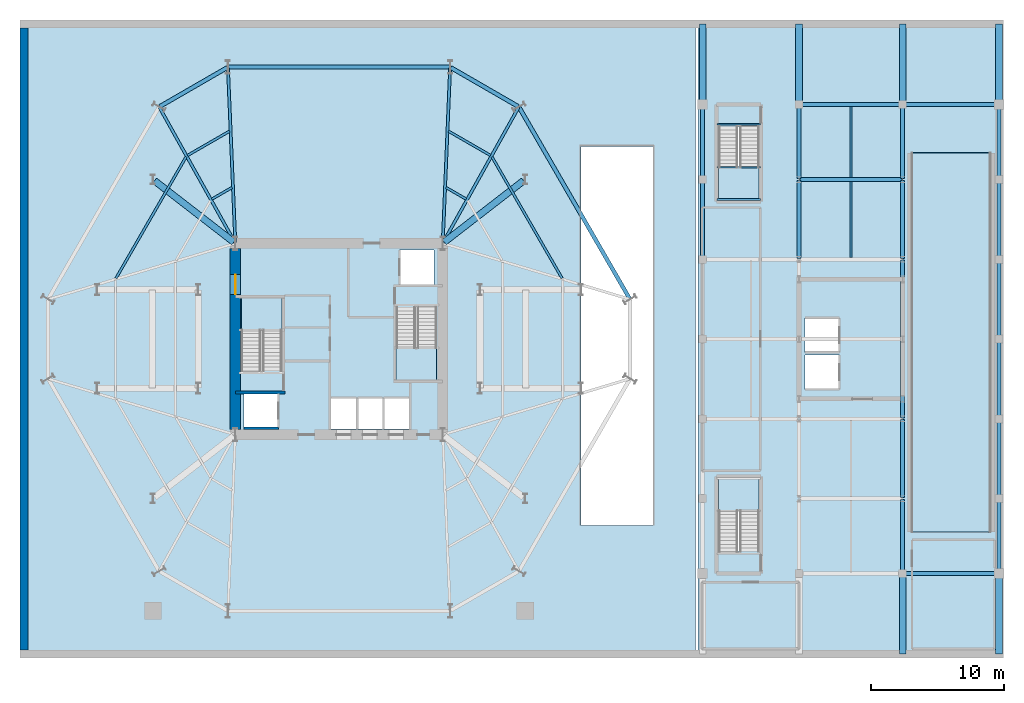
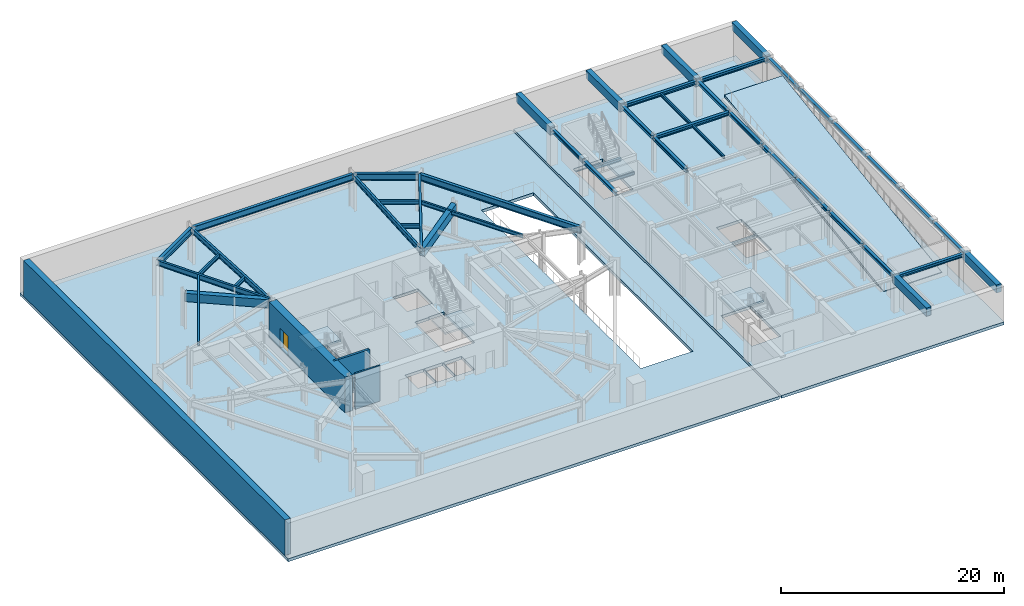
# One storey, part 6 of 12: 47 beams, 7 slabs, 4 walls, 1 door, 1 opening, 4 elements without a shape of their own.
"""IFC4 building model written with IfcOpenShell, lengths in metres."""

import ifcopenshell
import ifcopenshell.guid

model = None  # the IFC model being written
_history = None  # IfcOwnerHistory: only IFC2X3 demands one
_inside = {}  # id of a spatial element -> (the spatial element, [elements in it])
_under = {}  # id of a project, library or spatial element -> (it, [spatial elements below it])
_declared = {}  # id of a project -> (the project, [libraries it declares])
_typed = {}  # id of a type object -> (the type object, [elements of that type])
_made_of = {}  # id of a material, layer set ... -> (it, [elements and type objects made of it])


def new_model(schema):
    """Start an empty IFC model of exactly this schema.

    Asked for "IFC4X3", IfcOpenShell would pick the latest addendum, in which some entities
    have other attributes; the version numbers below select the first issue.
    IFC2X3 requires an IfcOwnerHistory on every rooted entity: one is made here for all.
    """
    global model, _history
    if schema == "IFC4X3":
        model = ifcopenshell.file(schema_version=(4, 3, 0, 0))
    else:
        model = ifcopenshell.file(schema=schema)
    _inside.clear()
    _under.clear()
    _declared.clear()
    _typed.clear()
    _made_of.clear()
    _history = None
    if model.schema == "IFC2X3":
        org = make("IfcOrganization", Name="unknown")
        user = make(
            "IfcPersonAndOrganization",
            ThePerson=make("IfcPerson", FamilyName="unknown"),
            TheOrganization=org,
        )
        app = make(
            "IfcApplication",
            ApplicationDeveloper=org,
            Version="unknown",
            ApplicationFullName="unknown",
            ApplicationIdentifier="unknown",
        )
        _history = make(
            "IfcOwnerHistory",
            OwningUser=user,
            OwningApplication=app,
            ChangeAction="ADDED",
            CreationDate=0,
        )
    return model


def make(cls, **values):
    """One entity of the class cls with the attributes given. An attribute that is None is left unset."""
    return model.create_entity(
        cls, **{name: value for name, value in values.items() if value is not None}
    )


def rooted(cls, **values):
    """An entity with a GlobalId (a new one), such as an element, a storey or a relation."""
    return make(cls, GlobalId=ifcopenshell.guid.new(), OwnerHistory=_history, **values)


def si_unit(unit_type, name, prefix=None):
    """IfcSIUnit, for example si_unit("LENGTHUNIT", "METRE", prefix="MILLI")."""
    return make("IfcSIUnit", UnitType=unit_type, Prefix=prefix, Name=name)


def assignment(units):
    """IfcUnitAssignment: the units of a project."""
    return None if units is None else make("IfcUnitAssignment", Units=units)


def point(xyz):
    """IfcCartesianPoint."""
    return None if xyz is None else make("IfcCartesianPoint", Coordinates=xyz)


def direction(xyz):
    """IfcDirection."""
    return None if xyz is None else make("IfcDirection", DirectionRatios=xyz)


def frame(location, z_axis=None, x_axis=None):
    """IfcAxis2Placement3D, a coordinate frame: its origin and axes. An axis left out is left unset."""
    return make(
        "IfcAxis2Placement3D",
        Location=point(location),
        Axis=direction(z_axis),
        RefDirection=direction(x_axis),
    )


def frame_2d(location, x_axis=None):
    """IfcAxis2Placement2D, a coordinate frame in the plane: its origin and x axis."""
    return make(
        "IfcAxis2Placement2D", Location=point(location), RefDirection=direction(x_axis)
    )


def origin():
    """The frame at (0, 0, 0) with its axes left unset."""
    return frame((0.0, 0.0, 0.0))


def origin_2d():
    """The frame at (0, 0) in the plane with its x axis left unset."""
    return frame_2d((0.0, 0.0))


def place(relative_to, where):
    """IfcLocalPlacement: puts the frame where relative to a parent placement (None: the world)."""
    return make(
        "IfcLocalPlacement", PlacementRelTo=relative_to, RelativePlacement=where
    )


def context(
    kind, dimensions, precision=None, world=None, true_north=None, identifier=None
):
    """IfcGeometricRepresentationContext, for example the 3D "Model" context."""
    return make(
        "IfcGeometricRepresentationContext",
        ContextIdentifier=identifier,
        ContextType=kind,
        CoordinateSpaceDimension=dimensions,
        Precision=precision,
        WorldCoordinateSystem=world,
        TrueNorth=true_north,
    )


def subcontext(parent, identifier, kind, view, scale=None):
    """IfcGeometricRepresentationSubContext, for example "Body" below "Model"."""
    return make(
        "IfcGeometricRepresentationSubContext",
        ContextIdentifier=identifier,
        ContextType=kind,
        ParentContext=parent,
        TargetScale=scale,
        TargetView=view,
    )


def project(units=None, contexts=None):
    """IfcProject with its units and contexts."""
    return rooted(
        "IfcProject",
        Name="project",
        RepresentationContexts=contexts,
        UnitsInContext=assignment(units),
    )


def spatial(cls, under=None, at=None, **own):
    """A site, building, storey or space (cls), placed at a placement, below another one or the project."""
    s = rooted(cls, ObjectPlacement=at, **own)
    if under is not None:
        _under.setdefault(under.id(), (under, []))[1].append(s)
    return s


def polyline(points):
    """IfcPolyline through the points."""
    return make("IfcPolyline", Points=[point(p) for p in points])


def profile(cls, at=None, kind="AREA", **sizes):
    """A parametric profile (cls). Its sizes go by their IFC names, for example OverallWidth=200.0."""
    return make(cls, ProfileType=kind, Position=at, **sizes)


def rectangle(**sizes):
    """IfcRectangleProfileDef."""
    return profile("IfcRectangleProfileDef", **sizes)


def i_section(**sizes):
    """IfcIShapeProfileDef."""
    return profile("IfcIShapeProfileDef", **sizes)


def outline(outer, holes=None, kind="AREA"):
    """IfcArbitraryClosedProfileDef: a profile drawn as a closed curve; with holes, ...WithVoids."""
    if holes is None:
        return make("IfcArbitraryClosedProfileDef", ProfileType=kind, OuterCurve=outer)
    return make(
        "IfcArbitraryProfileDefWithVoids",
        ProfileType=kind,
        OuterCurve=outer,
        InnerCurves=holes,
    )


def extrude(swept, where, along, depth):
    """IfcExtrudedAreaSolid: the profile swept, set in the frame where, extruded along a direction by depth."""
    return make(
        "IfcExtrudedAreaSolid",
        SweptArea=swept,
        Position=where,
        ExtrudedDirection=direction(along),
        Depth=depth,
    )


def shape(context_of_items, identifier, shape_type, items):
    """IfcShapeRepresentation: the items that make up one representation, for example the "Body"."""
    return make(
        "IfcShapeRepresentation",
        ContextOfItems=context_of_items,
        RepresentationIdentifier=identifier,
        RepresentationType=shape_type,
        Items=items,
    )


def material(Name=None, Category=None):
    """IfcMaterial."""
    return make("IfcMaterial", Name=Name, Category=Category)


def layer(
    of_material, thickness, ventilated=None, Name=None, Category=None, Priority=None
):
    """IfcMaterialLayer: one layer of a wall or slab, of a material (None: an air gap)."""
    return make(
        "IfcMaterialLayer",
        Material=of_material,
        LayerThickness=thickness,
        IsVentilated=ventilated,
        Name=Name,
        Category=Category,
        Priority=Priority,
    )


def layer_set(layers, Name=None):
    """IfcMaterialLayerSet."""
    return make("IfcMaterialLayerSet", MaterialLayers=layers, LayerSetName=Name)


def material_profile(
    of_material, cross_section, Name=None, Category=None, Priority=None
):
    """IfcMaterialProfile: a cross section and its material."""
    return make(
        "IfcMaterialProfile",
        Name=Name,
        Material=of_material,
        Profile=cross_section,
        Priority=Priority,
        Category=Category,
    )


def profile_set(profiles, Name=None, composite=None):
    """IfcMaterialProfileSet."""
    return make(
        "IfcMaterialProfileSet",
        Name=Name,
        MaterialProfiles=profiles,
        CompositeProfile=composite,
    )


def made_of(thing, what):
    """Note that an element or type object is made of a material, layer set ...; save() writes the relation."""
    if what is not None:
        _made_of.setdefault(what.id(), (what, []))[1].append(thing)
    return thing


def type_object(cls, material=None, **own):
    """A type object (cls), such as IfcWallType, which elements share."""
    return made_of(rooted(cls, **own), material)


def element(
    cls,
    number,
    at=None,
    inside=None,
    cuts=None,
    type_object=None,
    material=None,
    context=None,
    identifier="Body",
    shape_type=None,
    held_by="IfcProductDefinitionShape",
    body=None,
    shapes=None,
    **own,
):
    """One element of the class cls, such as IfcWall. Its Tag is "e" and its number.

    at: its placement. inside: the storey or other place that contains it. cuts: it is an
    opening in that element (IfcRelVoidsElement). A single representation is given by context,
    identifier, shape_type and body (its items); several are given by shapes. held_by: the class
    of the entity that holds the representations. save() writes the other relations.
    """
    e = rooted(cls, Tag="e%d" % number, ObjectPlacement=at, **own)
    if body is not None:
        shapes = [shape(context, identifier, shape_type, body)]
    if shapes is not None:
        e.Representation = make(held_by, Representations=shapes)
    if inside is not None:
        _inside.setdefault(inside.id(), (inside, []))[1].append(e)
    if cuts is not None:
        rooted(
            "IfcRelVoidsElement", RelatingBuildingElement=cuts, RelatedOpeningElement=e
        )
    if type_object is not None:
        _typed.setdefault(type_object.id(), (type_object, []))[1].append(e)
    return made_of(e, material)


def fill(opening, filler):
    """IfcRelFillsElement: the door or window that sits in an opening."""
    return rooted(
        "IfcRelFillsElement",
        RelatingOpeningElement=opening,
        RelatedBuildingElement=filler,
    )


def aggregate(whole, parts):
    """IfcRelAggregates: a whole, such as a stair, and the parts it consists of."""
    return rooted("IfcRelAggregates", RelatingObject=whole, RelatedObjects=parts)


def save(model, path):
    """Write the relations noted so far, then the file.

    IfcRelAggregates (storeys below a building ...), IfcRelContainedInSpatialStructure (elements
    in a storey), IfcRelDefinesByType, IfcRelAssociatesMaterial and IfcRelDeclares: one each for
    every whole, place, type object, material and project.
    """
    for whole, parts in _under.values():
        aggregate(whole, parts)
    for where, things in _inside.values():
        rooted(
            "IfcRelContainedInSpatialStructure",
            RelatedElements=things,
            RelatingStructure=where,
        )
    for kind, things in _typed.values():
        rooted("IfcRelDefinesByType", RelatedObjects=things, RelatingType=kind)
    for what, things in _made_of.values():
        rooted("IfcRelAssociatesMaterial", RelatedObjects=things, RelatingMaterial=what)
    for by, libraries in _declared.values():
        rooted("IfcRelDeclares", RelatingContext=by, RelatedDefinitions=libraries)
    model.write(path)


model = new_model("IFC4")

# Units and contexts
model_context = context("Model", 3, precision=1e-05, world=origin(), true_north=direction((0.0, 1.0)))
body_context = subcontext(model_context, "Body", "Model", "MODEL_VIEW")
ifc_project = project(units=[si_unit("LENGTHUNIT", "METRE"), si_unit("AREAUNIT", "SQUARE_METRE"), si_unit("VOLUMEUNIT", "CUBIC_METRE"), si_unit("PLANEANGLEUNIT", "RADIAN"), si_unit("MASSUNIT", "GRAM", prefix="KILO")], contexts=[model_context])

# Site, building, storey
site_placement = place(None, origin())
site = spatial("IfcSite", under=ifc_project, at=site_placement, CompositionType="ELEMENT")
building_placement = place(site_placement, origin())
building = spatial("IfcBuilding", under=site, at=building_placement, Name="Kranzbogen Civic Tower", CompositionType="ELEMENT")
storey_placement = place(building_placement, frame((0.0, 0.0, -4.199951171875)))
storey = spatial("IfcBuildingStorey", under=building, at=storey_placement, Name="B01", CompositionType="ELEMENT", Elevation=-4.199951171875)

# Beams
ifc_material_1 = material(Name="Concrete C40/50", Category="concrete")
ifc_material_profile_1 = material_profile(ifc_material_1, rectangle(XDim=0.5, YDim=0.89990234375, at=origin_2d()), Name="RC-BM 500x900")
ifc_profile_set_1 = profile_set([ifc_material_profile_1], Name="Concrete C40/50")
beam_type_1 = type_object("IfcBeamType", Name="Basement RC Frame Beam 500x900", PredefinedType="BEAM", material=ifc_profile_set_1)
for number, where, z_axis, x_axis, name in (
    (1, (52.35009765625, 42.64990234375, 3.599853515625), (0.0, 1.0, 0.0), (-1.0, 0.0, 0.0), "B01 North-East plaza support beam 52"),
    (2, (59.60009765625, 42.64990234375, 3.599853515625), (0.0, 1.0, 0.0), (-1.0, 0.0, 0.0), "B01 North-East plaza support beam 59"),
    (3, (67.39990234375, 1.300048828125, 3.599853515625), (0.0, 1.0, 0.0), (-1.0, 0.0, 0.0), "B01 South-East plaza support beam 67"),
    (4, (67.39990234375, 42.64990234375, 3.599853515625), (0.0, 1.0, 0.0), (-1.0, 0.0, 0.0), "B01 North-East plaza support beam 67"),
    (5, (74.64990234375, 1.300048828125, 3.599853515625), (0.0, 1.0, 0.0), (-1.0, 0.0, 0.0), "B01 South-East plaza support beam 74"),
    (6, (74.64990234375, 42.64990234375, 3.599853515625), (0.0, 1.0, 0.0), (-1.0, 0.0, 0.0), "B01 North-East plaza support beam 74"),
):
    element("IfcBeam", number, at=place(storey_placement, frame(where, z_axis=z_axis, x_axis=x_axis)), inside=storey, type_object=beam_type_1, Name=name, PredefinedType="BEAM", context=body_context, shape_type="SweptSolid", body=[
        extrude(rectangle(XDim=0.5, YDim=0.89990234375, at=origin_2d()), origin(), (0.0, 0.0, 1.0), 6.050048828125),
    ])
for number, where, z_axis, x_axis, name in (
    (7, (11.118896484375, 36.907958984375, 3.429931640625), (0.79071713495, -0.612181682589, 0.0), (0.612181682589, 0.79071713495, 0.0), "B01 basement RC frame girder 3"),
    (8, (38.881103515625, 36.907958984375, 3.429931640625), (-0.79071713495, -0.612181682589, 0.0), (0.612181682589, -0.79071713495, 0.0), "B01 basement RC frame girder 4"),
):
    element("IfcBeam", number, at=place(storey_placement, frame(where, z_axis=z_axis, x_axis=x_axis)), inside=storey, type_object=beam_type_1, Name=name, PredefinedType="BEAM", context=body_context, shape_type="SweptSolid", body=[
        extrude(rectangle(XDim=0.5, YDim=0.89990234375, at=origin_2d()), origin(), (0.0, 0.0, 1.0), 7.540283203125),
    ])
ifc_material_2 = material(Name="Steel S355", Category="steel")
ifc_material_profile_2 = material_profile(ifc_material_2, i_section(OverallWidth=0.300048828125, OverallDepth=0.360107421875, WebThickness=0.012451171875, FlangeThickness=0.0224609375, at=origin_2d()), Name="HEB 360")
ifc_profile_set_2 = profile_set([ifc_material_profile_2], Name="Steel S355")
beam_type_2 = type_object("IfcBeamType", Name="Health Centre Primary Floor Beam HEB 360", PredefinedType="BEAM", material=ifc_profile_set_2)
beam_1_placement = place(storey_placement, frame((67.4599609375, 7.35009765625, 3.699951171875), z_axis=(1.0, 0.0, 0.0), x_axis=(0.0, 1.0, 0.0)))
element("IfcBeam", 9, at=beam_1_placement, inside=storey, type_object=beam_type_2, Name="B01 Health Centre X girder 3-1", PredefinedType="BEAM", context=body_context, shape_type="SweptSolid", body=[
    extrude(i_section(OverallWidth=0.300048828125, OverallDepth=0.360107421875, WebThickness=0.012451171875, FlangeThickness=0.0224609375, at=origin_2d()), origin(), (0.0, 0.0, 1.0), 7.130126953125),
])
for number, where, z_axis, x_axis, name in (
    (10, (59.659912109375, 37.0, 3.699951171875), (1.0, 0.0, 0.0), (0.0, 1.0, 0.0), "B01 Health Centre X girder 2-6"),
    (11, (59.659912109375, 42.64990234375, 3.699951171875), (1.0, 0.0, 0.0), (0.0, 1.0, 0.0), "B01 Health Centre X girder 2-7"),
):
    element("IfcBeam", number, at=place(storey_placement, frame(where, z_axis=z_axis, x_axis=x_axis)), inside=storey, type_object=beam_type_2, Name=name, PredefinedType="BEAM", context=body_context, shape_type="SweptSolid", body=[
        extrude(i_section(OverallWidth=0.300048828125, OverallDepth=0.360107421875, WebThickness=0.012451171875, FlangeThickness=0.0224609375, at=origin_2d()), origin(), (0.0, 0.0, 1.0), 7.68017578125),
    ])
beam_2_placement = place(storey_placement, frame((67.4599609375, 42.64990234375, 3.699951171875), z_axis=(1.0, 0.0, 0.0), x_axis=(0.0, 1.0, 0.0)))
element("IfcBeam", 12, at=beam_2_placement, inside=storey, type_object=beam_type_2, Name="B01 Health Centre X girder 3-7", PredefinedType="BEAM", context=body_context, shape_type="SweptSolid", body=[
    extrude(i_section(OverallWidth=0.300048828125, OverallDepth=0.360107421875, WebThickness=0.012451171875, FlangeThickness=0.0224609375, at=origin_2d()), origin(), (0.0, 0.0, 1.0), 7.130126953125),
])
for number, where, z_axis, x_axis, name in (
    (13, (67.39990234375, 7.409912109375, 3.699951171875), (0.0, 1.0, 0.0), (-1.0, 0.0, 0.0), "B01 Health Centre Y girder 3-1"),
    (14, (74.64990234375, 7.409912109375, 3.699951171875), (0.0, 1.0, 0.0), (-1.0, 0.0, 0.0), "B01 Health Centre Y girder 4-1"),
):
    element("IfcBeam", number, at=place(storey_placement, frame(where, z_axis=z_axis, x_axis=x_axis)), inside=storey, type_object=beam_type_2, Name=name, PredefinedType="BEAM", context=body_context, shape_type="SweptSolid", body=[
        extrude(i_section(OverallWidth=0.300048828125, OverallDepth=0.360107421875, WebThickness=0.012451171875, FlangeThickness=0.0224609375, at=origin_2d()), origin(), (0.0, 0.0, 1.0), 5.530029296875),
    ])
for number, where, z_axis, x_axis, name in (
    (15, (67.39990234375, 13.06005859375, 3.699951171875), (0.0, 1.0, 0.0), (-1.0, 0.0, 0.0), "B01 Health Centre Y girder 3-2"),
    (16, (74.64990234375, 13.06005859375, 3.699951171875), (0.0, 1.0, 0.0), (-1.0, 0.0, 0.0), "B01 Health Centre Y girder 4-2"),
    (17, (67.39990234375, 19.06005859375, 3.699951171875), (0.0, 1.0, 0.0), (-1.0, 0.0, 0.0), "B01 Health Centre Y girder 3-3"),
    (18, (74.64990234375, 19.06005859375, 3.699951171875), (0.0, 1.0, 0.0), (-1.0, 0.0, 0.0), "B01 Health Centre Y girder 4-3"),
    (19, (67.39990234375, 25.06005859375, 3.699951171875), (0.0, 1.0, 0.0), (-1.0, 0.0, 0.0), "B01 Health Centre Y girder 3-4"),
    (20, (74.64990234375, 25.06005859375, 3.699951171875), (0.0, 1.0, 0.0), (-1.0, 0.0, 0.0), "B01 Health Centre Y girder 4-4"),
    (21, (52.35009765625, 31.06005859375, 3.699951171875), (0.0, 1.0, 0.0), (-1.0, 0.0, 0.0), "B01 Health Centre Y girder 1-5"),
    (22, (59.60009765625, 31.06005859375, 3.699951171875), (0.0, 1.0, 0.0), (-1.0, 0.0, 0.0), "B01 Health Centre Y girder 2-5"),
    (23, (67.39990234375, 31.06005859375, 3.699951171875), (0.0, 1.0, 0.0), (-1.0, 0.0, 0.0), "B01 Health Centre Y girder 3-5"),
    (24, (74.64990234375, 31.06005859375, 3.699951171875), (0.0, 1.0, 0.0), (-1.0, 0.0, 0.0), "B01 Health Centre Y girder 4-5"),
):
    element("IfcBeam", number, at=place(storey_placement, frame(where, z_axis=z_axis, x_axis=x_axis)), inside=storey, type_object=beam_type_2, Name=name, PredefinedType="BEAM", context=body_context, shape_type="SweptSolid", body=[
        extrude(i_section(OverallWidth=0.300048828125, OverallDepth=0.360107421875, WebThickness=0.012451171875, FlangeThickness=0.0224609375, at=origin_2d()), origin(), (0.0, 0.0, 1.0), 5.8798828125),
    ])
for number, where, z_axis, x_axis, name in (
    (25, (52.35009765625, 37.06005859375, 3.699951171875), (0.0, 1.0, 0.0), (-1.0, 0.0, 0.0), "B01 Health Centre Y girder 1-6"),
    (26, (59.60009765625, 37.06005859375, 3.699951171875), (0.0, 1.0, 0.0), (-1.0, 0.0, 0.0), "B01 Health Centre Y girder 2-6"),
    (27, (67.39990234375, 37.06005859375, 3.699951171875), (0.0, 1.0, 0.0), (-1.0, 0.0, 0.0), "B01 Health Centre Y girder 3-6"),
    (28, (74.64990234375, 37.06005859375, 3.699951171875), (0.0, 1.0, 0.0), (-1.0, 0.0, 0.0), "B01 Health Centre Y girder 4-6"),
):
    element("IfcBeam", number, at=place(storey_placement, frame(where, z_axis=z_axis, x_axis=x_axis)), inside=storey, type_object=beam_type_2, Name=name, PredefinedType="BEAM", context=body_context, shape_type="SweptSolid", body=[
        extrude(i_section(OverallWidth=0.300048828125, OverallDepth=0.360107421875, WebThickness=0.012451171875, FlangeThickness=0.0224609375, at=origin_2d()), origin(), (0.0, 0.0, 1.0), 5.530029296875),
    ])
ifc_material_profile_3 = material_profile(ifc_material_2, i_section(OverallWidth=0.14990234375, OverallDepth=0.300048828125, WebThickness=0.007080078125, FlangeThickness=0.0107421875, at=origin_2d()), Name="IPE 300")
ifc_profile_set_3 = profile_set([ifc_material_profile_3], Name="Steel S355")
beam_type_3 = type_object("IfcBeamType", Name="Health Centre Secondary Joist IPE 300", PredefinedType="JOIST", material=ifc_profile_set_3)
beam_3_placement = place(storey_placement, frame((63.5, 31.139892578125, 3.72998046875), z_axis=(0.0, 1.0, 0.0), x_axis=(-1.0, 0.0, 0.0)))
element("IfcBeam", 29, at=beam_3_placement, inside=storey, type_object=beam_type_3, Name="B01 Health Centre secondary joist 2-5", PredefinedType="JOIST", context=body_context, shape_type="SweptSolid", body=[
    extrude(i_section(OverallWidth=0.14990234375, OverallDepth=0.300048828125, WebThickness=0.007080078125, FlangeThickness=0.0107421875, at=origin_2d()), origin(), (0.0, 0.0, 1.0), 5.72021484375),
])
beam_4_placement = place(storey_placement, frame((63.5, 37.139892578125, 3.72998046875), z_axis=(0.0, 1.0, 0.0), x_axis=(-1.0, 0.0, 0.0)))
element("IfcBeam", 30, at=beam_4_placement, inside=storey, type_object=beam_type_3, Name="B01 Health Centre secondary joist 2-6", PredefinedType="JOIST", context=body_context, shape_type="SweptSolid", body=[
    extrude(i_section(OverallWidth=0.14990234375, OverallDepth=0.300048828125, WebThickness=0.007080078125, FlangeThickness=0.0107421875, at=origin_2d()), origin(), (0.0, 0.0, 1.0), 5.3701171875),
])
ifc_material_profile_4 = material_profile(ifc_material_2, i_section(OverallWidth=0.300048828125, OverallDepth=0.699951171875, WebThickness=0.01708984375, FlangeThickness=0.031982421875, at=origin_2d()), Name="HEB 700")
ifc_profile_set_4 = profile_set([ifc_material_profile_4], Name="Steel S355")
beam_type_4 = type_object("IfcBeamType", Name="Perimeter Tube Spandrel Beam HEB 700", PredefinedType="SPANDREL", material=ifc_profile_set_4)
beam_5_placement = place(storey_placement, frame((46.860107421875, 28.0380859375, 3.530029296875), z_axis=(-0.500010210561, 0.866019508634, 0.0), x_axis=(-0.866019508634, -0.500010210561, 0.0)))
element("IfcBeam", 31, at=beam_5_placement, inside=storey, type_object=beam_type_4, Name="B01 perimeter spandrel beam 07", PredefinedType="SPANDREL", context=body_context, shape_type="SweptSolid", body=[
    extrude(i_section(OverallWidth=0.300048828125, OverallDepth=0.699951171875, WebThickness=0.01708984375, FlangeThickness=0.031982421875, at=origin_2d()), origin(), (0.0, 0.0, 1.0), 16.597900390625),
])
beam_6_placement = place(storey_placement, frame((38.47900390625, 42.493896484375, 3.530029296875), z_axis=(-0.86602927387, 0.499993296755, 0.0), x_axis=(-0.499993296755, -0.86602927387, 0.0)))
element("IfcBeam", 32, at=beam_6_placement, inside=storey, type_object=beam_type_4, Name="B01 perimeter spandrel beam 08", PredefinedType="SPANDREL", context=body_context, shape_type="SweptSolid", body=[
    extrude(i_section(OverallWidth=0.300048828125, OverallDepth=0.699951171875, WebThickness=0.01708984375, FlangeThickness=0.031982421875, at=origin_2d()), origin(), (0.0, 0.0, 1.0), 5.85205078125),
])
beam_7_placement = place(storey_placement, frame((33.299072265625, 45.449951171875, 3.530029296875), z_axis=(-1.0, 0.0, 0.0), x_axis=(0.0, -1.0, 0.0)))
element("IfcBeam", 33, at=beam_7_placement, inside=storey, type_object=beam_type_4, Name="B01 perimeter spandrel beam 09", PredefinedType="SPANDREL", context=body_context, shape_type="SweptSolid", body=[
    extrude(i_section(OverallWidth=0.300048828125, OverallDepth=0.699951171875, WebThickness=0.01708984375, FlangeThickness=0.031982421875, at=origin_2d()), origin(), (0.0, 0.0, 1.0), 16.59814453125),
])
beam_8_placement = place(storey_placement, frame((16.589111328125, 45.419921875, 3.530029296875), z_axis=(-0.86602927387, -0.499993296755, 0.0), x_axis=(0.499993296755, -0.86602927387, 0.0)))
element("IfcBeam", 34, at=beam_8_placement, inside=storey, type_object=beam_type_4, Name="B01 perimeter spandrel beam 10", PredefinedType="SPANDREL", context=body_context, shape_type="SweptSolid", body=[
    extrude(i_section(OverallWidth=0.300048828125, OverallDepth=0.699951171875, WebThickness=0.01708984375, FlangeThickness=0.031982421875, at=origin_2d()), origin(), (0.0, 0.0, 1.0), 5.85205078125),
])
ifc_material_profile_5 = material_profile(ifc_material_2, i_section(OverallWidth=0.2099609375, OverallDepth=0.550048828125, WebThickness=0.010986328125, FlangeThickness=0.01708984375, at=origin_2d()), Name="IPE 550")
ifc_profile_set_5 = profile_set([ifc_material_profile_5], Name="Steel S355")
beam_type_5 = type_object("IfcBeamType", Name="Radial Tower Floor Girder IPE 550", PredefinedType="BEAM", material=ifc_profile_set_5)
beam_9_placement = place(storey_placement, frame((38.501953125, 42.412109375, 3.60498046875), z_axis=(-0.487501570266, -0.87312211001, 0.0), x_axis=(0.87312211001, -0.487501570266, 0.0)))
element("IfcBeam", 35, at=beam_9_placement, inside=storey, type_object=beam_type_5, Name="B01 radial floor girder 08", PredefinedType="BEAM", context=body_context, shape_type="SweptSolid", body=[
    extrude(i_section(OverallWidth=0.2099609375, OverallDepth=0.550048828125, WebThickness=0.010986328125, FlangeThickness=0.01708984375, at=origin_2d()), origin(), (0.0, 0.0, 1.0), 11.636474609375),
])
for number, where, z_axis, x_axis, name in (
    (36, (33.35595703125, 45.389892578125, 3.60498046875), (-0.04207872602, -0.999114298174, 0.0), (0.999114298174, -0.04207872602, 0.0), "B01 radial floor girder 09"),
    (37, (16.64404296875, 45.389892578125, 3.60498046875), (0.04207872602, -0.999114298174, 0.0), (0.999114298174, 0.04207872602, 0.0), "B01 radial floor girder 10"),
):
    element("IfcBeam", number, at=place(storey_placement, frame(where, z_axis=z_axis, x_axis=x_axis)), inside=storey, type_object=beam_type_5, Name=name, PredefinedType="BEAM", context=body_context, shape_type="SweptSolid", body=[
        extrude(i_section(OverallWidth=0.2099609375, OverallDepth=0.550048828125, WebThickness=0.010986328125, FlangeThickness=0.01708984375, at=origin_2d()), origin(), (0.0, 0.0, 1.0), 13.1416015625),
    ])
beam_10_placement = place(storey_placement, frame((11.498046875, 42.412109375, 3.60498046875), z_axis=(0.487501570266, -0.87312211001, 0.0), x_axis=(0.87312211001, 0.487501570266, 0.0)))
element("IfcBeam", 38, at=beam_10_placement, inside=storey, type_object=beam_type_5, Name="B01 radial floor girder 11", PredefinedType="BEAM", context=body_context, shape_type="SweptSolid", body=[
    extrude(i_section(OverallWidth=0.2099609375, OverallDepth=0.550048828125, WebThickness=0.010986328125, FlangeThickness=0.01708984375, at=origin_2d()), origin(), (0.0, 0.0, 1.0), 11.636474609375),
])
ifc_material_profile_6 = material_profile(ifc_material_2, i_section(OverallWidth=0.179931640625, OverallDepth=0.39990234375, WebThickness=0.008544921875, FlangeThickness=0.013427734375, at=origin_2d()), Name="IPE 400")
ifc_profile_set_6 = profile_set([ifc_material_profile_6], Name="Steel S355")
beam_type_6 = type_object("IfcBeamType", Name="Secondary Composite Floor Joist IPE 400", PredefinedType="JOIST", material=ifc_profile_set_6)
beam_11_placement = place(storey_placement, frame((41.778076171875, 29.572021484375, 3.679931640625), z_axis=(-0.500000488781, 0.866025121586, 0.0), x_axis=(-0.866025121586, -0.500000488781, 0.0)))
element("IfcBeam", 39, at=beam_11_placement, inside=storey, type_object=beam_type_6, Name="B01 secondary floor joist 1.07", PredefinedType="JOIST", context=body_context, shape_type="SweptSolid", body=[
    extrude(i_section(OverallWidth=0.179931640625, OverallDepth=0.39990234375, WebThickness=0.008544921875, FlangeThickness=0.013427734375, at=origin_2d()), origin(), (0.0, 0.0, 1.0), 10.5400390625),
])
beam_12_placement = place(storey_placement, frame((36.39892578125, 38.80908203125, 3.679931640625), z_axis=(-0.866081244924, 0.499903267833, 0.0), x_axis=(-0.499903267833, -0.866081244924, 0.0)))
element("IfcBeam", 40, at=beam_12_placement, inside=storey, type_object=beam_type_6, Name="B01 secondary floor joist 1.08", PredefinedType="JOIST", context=body_context, shape_type="SweptSolid", body=[
    extrude(i_section(OverallWidth=0.179931640625, OverallDepth=0.39990234375, WebThickness=0.008544921875, FlangeThickness=0.013427734375, at=origin_2d()), origin(), (0.0, 0.0, 1.0), 3.662353515625),
])
beam_13_placement = place(storey_placement, frame((34.56494140625, 35.52392578125, 3.679931640625), z_axis=(-0.86596970562, 0.500096459644, 0.0), x_axis=(-0.500096459644, -0.86596970562, 0.0)))
element("IfcBeam", 41, at=beam_13_placement, inside=storey, type_object=beam_type_6, Name="B01 secondary floor joist 2.08", PredefinedType="JOIST", context=body_context, shape_type="SweptSolid", body=[
    extrude(i_section(OverallWidth=0.179931640625, OverallDepth=0.39990234375, WebThickness=0.008544921875, FlangeThickness=0.013427734375, at=origin_2d()), origin(), (0.0, 0.0, 1.0), 1.751708984375),
])
beam_14_placement = place(storey_placement, frame((16.77294921875, 40.639892578125, 3.679931640625), z_axis=(-0.866081244924, -0.499903267833, 0.0), x_axis=(0.499903267833, -0.866081244924, 0.0)))
element("IfcBeam", 42, at=beam_14_placement, inside=storey, type_object=beam_type_6, Name="B01 secondary floor joist 1.10", PredefinedType="JOIST", context=body_context, shape_type="SweptSolid", body=[
    extrude(i_section(OverallWidth=0.179931640625, OverallDepth=0.39990234375, WebThickness=0.008544921875, FlangeThickness=0.013427734375, at=origin_2d()), origin(), (0.0, 0.0, 1.0), 3.662353515625),
])
beam_15_placement = place(storey_placement, frame((16.951904296875, 36.39990234375, 3.679931640625), z_axis=(-0.86596970562, -0.500096459644, 0.0), x_axis=(0.500096459644, -0.86596970562, 0.0)))
element("IfcBeam", 43, at=beam_15_placement, inside=storey, type_object=beam_type_6, Name="B01 secondary floor joist 2.10", PredefinedType="JOIST", context=body_context, shape_type="SweptSolid", body=[
    extrude(i_section(OverallWidth=0.179931640625, OverallDepth=0.39990234375, WebThickness=0.008544921875, FlangeThickness=0.013427734375, at=origin_2d()), origin(), (0.0, 0.0, 1.0), 1.751708984375),
])
beam_16_placement = place(storey_placement, frame((13.491943359375, 38.699951171875, 3.679931640625), z_axis=(-0.500000488781, -0.866025121586, 0.0), x_axis=(0.866025121586, -0.500000488781, 0.0)))
element("IfcBeam", 44, at=beam_16_placement, inside=storey, type_object=beam_type_6, Name="B01 secondary floor joist 1.11", PredefinedType="JOIST", context=body_context, shape_type="SweptSolid", body=[
    extrude(i_section(OverallWidth=0.179931640625, OverallDepth=0.39990234375, WebThickness=0.008544921875, FlangeThickness=0.013427734375, at=origin_2d()), origin(), (0.0, 0.0, 1.0), 10.5400390625),
])
ifc_material_profile_7 = material_profile(ifc_material_2, i_section(OverallWidth=0.135009765625, OverallDepth=0.27001953125, WebThickness=0.006591796875, FlangeThickness=0.01025390625, at=origin_2d()), Name="IPE 270")
ifc_profile_set_7 = profile_set([ifc_material_profile_7], Name="Steel S355")
beam_type_7 = type_object("IfcBeamType", Name="Stair Landing Support Beam IPE 270", PredefinedType="JOIST", material=ifc_profile_set_7)
for number, where, z_axis, x_axis, name in (
    (45, (53.449951171875, 41.159912109375, -0.455078125), (1.0, 0.0, 0.0), (0.0, 1.0, 0.0), "B01 ST-H2 stair floor header beam"),
    (46, (53.449951171875, 37.919921875, 1.764892578125), (1.0, 0.0, 0.0), (0.0, 1.0, 0.0), "B01 ST-H2 landing support beam 1.1"),
    (47, (53.449951171875, 35.5, 1.764892578125), (1.0, 0.0, 0.0), (0.0, 1.0, 0.0), "B01 ST-H2 landing support beam 1.2"),
):
    element("IfcBeam", number, at=place(storey_placement, frame(where, z_axis=z_axis, x_axis=x_axis)), inside=storey, type_object=beam_type_7, Name=name, PredefinedType="JOIST", context=body_context, shape_type="SweptSolid", body=[
        extrude(i_section(OverallWidth=0.135009765625, OverallDepth=0.27001953125, WebThickness=0.006591796875, FlangeThickness=0.01025390625, at=origin_2d()), origin(), (0.0, 0.0, 1.0), 3.25),
    ])

# Slabs
ifc_layer_1 = layer(ifc_material_1, 0.320068359375, Name="Concrete C40/50")
ifc_layer_set_1 = layer_set([ifc_layer_1], Name="Concrete C40/50")
slab_type_1 = type_object("IfcSlabType", Name="Composite Heavy Plaza and Car Park Slab 320 mm", PredefinedType="FLOOR", material=ifc_layer_set_1)
slab_1_placement = place(storey_placement, frame((0.0, 0.0, -0.320068359375)))
element("IfcSlab", 48, at=slab_1_placement, inside=storey, type_object=slab_type_1, Name="B01 West car park structural slab 1", PredefinedType="FLOOR", context=body_context, shape_type="SweptSolid", body=[
    extrude(outline(polyline([(51.800048828125, 1.0), (51.800048828125, 49.0), (1.0, 49.0), (1.0, 1.0), (51.800048828125, 1.0)]), holes=[polyline([(26.300048828125, 20.60009765625), (26.300048828125, 18.25), (24.39990234375, 18.25), (24.39990234375, 20.60009765625), (26.300048828125, 20.60009765625)]), polyline([(28.27490234375, 18.25), (26.375, 18.25), (26.375, 20.60009765625), (28.27490234375, 20.60009765625), (28.27490234375, 18.25)]), polyline([(30.25, 18.25), (28.35009765625, 18.25), (28.35009765625, 20.60009765625), (30.25, 20.60009765625), (30.25, 18.25)]), polyline([(20.449951171875, 20.89990234375), (20.449951171875, 18.300048828125), (17.85009765625, 18.300048828125), (17.85009765625, 20.89990234375), (20.449951171875, 20.89990234375)]), polyline([(30.75, 27.340087890625), (30.75, 27.39990234375), (32.35009765625, 27.39990234375), (32.35009765625, 21.89990234375), (29.300048828125, 21.89990234375), (29.300048828125, 27.340087890625), (30.75, 27.340087890625)]), polyline([(19.25, 22.659912109375), (19.25, 22.60009765625), (17.64990234375, 22.60009765625), (17.64990234375, 28.10009765625), (20.699951171875, 28.10009765625), (20.699951171875, 22.659912109375), (19.25, 22.659912109375)]), polyline([(48.60498046875, 10.955078125), (43.195068359375, 10.955078125), (43.195068359375, 39.5), (48.60498046875, 39.5), (48.60498046875, 10.955078125)]), polyline([(32.14990234375, 29.10009765625), (29.550048828125, 29.10009765625), (29.550048828125, 31.699951171875), (32.14990234375, 31.699951171875), (32.14990234375, 29.10009765625)])]), origin(), (0.0, 0.0, 1.0), 0.320068359375),
])
slab_2_placement = place(storey_placement, frame((0.0, 0.0, -0.320068359375)))
element("IfcSlab", 49, at=slab_2_placement, inside=storey, type_object=slab_type_1, Name="B01 East car park structural slab 1", PredefinedType="FLOOR", context=body_context, shape_type="SweptSolid", body=[
    extrude(outline(polyline([(75.0, 1.0), (75.0, 49.0), (52.0, 49.0), (52.0, 1.0), (75.0, 1.0)]), holes=[polyline([(74.054931640625, 12.239990234375), (74.054931640625, 10.455078125), (68.044921875, 10.455078125), (68.044921875, 12.239990234375), (74.054931640625, 12.239990234375)]), polyline([(55.14990234375, 9.06005859375), (55.14990234375, 9.0), (53.550048828125, 9.0), (53.550048828125, 14.5), (56.60009765625, 14.5), (56.60009765625, 9.06005859375), (55.14990234375, 9.06005859375)]), polyline([(62.64990234375, 21.199951171875), (60.050048828125, 21.199951171875), (60.050048828125, 23.800048828125), (62.64990234375, 23.800048828125), (62.64990234375, 21.199951171875)]), polyline([(62.64990234375, 26.60009765625), (62.64990234375, 24.0), (60.050048828125, 24.0), (60.050048828125, 26.60009765625), (62.64990234375, 26.60009765625)]), polyline([(55.0, 40.93994140625), (55.0, 41.0), (56.60009765625, 41.0), (56.60009765625, 35.5), (53.550048828125, 35.5), (53.550048828125, 40.93994140625), (55.0, 40.93994140625)])]), origin(), (0.0, 0.0, 1.0), 0.320068359375),
])

# Stair, slab
ifc_material_3 = material(Name="Precast concrete C40/50", Category="concrete")
stair_type_1 = type_object("IfcStairType", Name="Tower Core Pressurized Dogleg Stair 1450", PredefinedType="HALF_TURN_STAIR", material=ifc_material_3)
stair_1_placement = place(storey_placement, origin())
stair_1 = element("IfcStair", 50, at=stair_1_placement, inside=storey, type_object=stair_type_1, Name="B01 Tower Core Pressurized Stair 1", PredefinedType="HALF_TURN_STAIR")
ifc_layer_2 = layer(ifc_material_3, 0.199951171875, Name="Precast concrete C40/50")
ifc_layer_set_2 = layer_set([ifc_layer_2], Name="Precast concrete C40/50")
slab_type_2 = type_object("IfcSlabType", Name="Precast Concrete Stair Landing Slab 200 mm", PredefinedType="LANDING", material=ifc_layer_set_2)
slab_3_placement = place(storey_placement, frame((0.0, 0.0, 1.89990234375)))
slab_3 = element("IfcSlab", 51, at=slab_3_placement, type_object=slab_type_2, Name="ST-T1 landing 1", PredefinedType="LANDING", context=body_context, shape_type="SweptSolid", body=[
    extrude(outline(polyline([(20.699951171875, 25.679931640625), (20.699951171875, 28.10009765625), (17.64990234375, 28.10009765625), (17.64990234375, 25.679931640625), (20.699951171875, 25.679931640625)])), origin(), (0.0, 0.0, 1.0), 0.199951171875),
])
aggregate(stair_1, [slab_3])

stair_type_2 = type_object("IfcStairType", Name="Tower Core Secondary Dogleg Stair 1450", PredefinedType="HALF_TURN_STAIR", material=ifc_material_3)
stair_2_placement = place(storey_placement, origin())
stair_2 = element("IfcStair", 52, at=stair_2_placement, inside=storey, type_object=stair_type_2, Name="B01 Tower Core Pressurized Stair 2", PredefinedType="HALF_TURN_STAIR")
slab_4_placement = place(storey_placement, frame((0.0, 0.0, 1.89990234375)))
slab_4 = element("IfcSlab", 53, at=slab_4_placement, type_object=slab_type_2, Name="ST-T2 landing 1", PredefinedType="LANDING", context=body_context, shape_type="SweptSolid", body=[
    extrude(outline(polyline([(29.300048828125, 24.320068359375), (29.300048828125, 21.89990234375), (32.35009765625, 21.89990234375), (32.35009765625, 24.320068359375), (29.300048828125, 24.320068359375)])), origin(), (0.0, 0.0, 1.0), 0.199951171875),
])
aggregate(stair_2, [slab_4])

stair_type_3 = type_object("IfcStairType", Name="Health Centre Escape Dogleg Stair 1450", PredefinedType="HALF_TURN_STAIR", material=ifc_material_3)
stair_3_placement = place(storey_placement, origin())
stair_3 = element("IfcStair", 54, at=stair_3_placement, inside=storey, type_object=stair_type_3, Name="B01 Health Centre Escape Stair 1", PredefinedType="HALF_TURN_STAIR")
slab_5_placement = place(storey_placement, frame((0.0, 0.0, 1.89990234375)))
slab_5 = element("IfcSlab", 55, at=slab_5_placement, type_object=slab_type_2, Name="ST-H1 landing 1", PredefinedType="LANDING", context=body_context, shape_type="SweptSolid", body=[
    extrude(outline(polyline([(56.60009765625, 12.080078125), (56.60009765625, 14.5), (53.550048828125, 14.5), (53.550048828125, 12.080078125), (56.60009765625, 12.080078125)])), origin(), (0.0, 0.0, 1.0), 0.199951171875),
])
aggregate(stair_3, [slab_5])

stair_4_placement = place(storey_placement, origin())
stair_4 = element("IfcStair", 56, at=stair_4_placement, inside=storey, type_object=stair_type_3, Name="B01 Health Centre Escape Stair 2", PredefinedType="HALF_TURN_STAIR")
slab_6_placement = place(storey_placement, frame((0.0, 0.0, 1.89990234375)))
slab_6 = element("IfcSlab", 57, at=slab_6_placement, type_object=slab_type_2, Name="ST-H2 landing 1", PredefinedType="LANDING", context=body_context, shape_type="SweptSolid", body=[
    extrude(outline(polyline([(53.550048828125, 37.919921875), (53.550048828125, 35.5), (56.60009765625, 35.5), (56.60009765625, 37.919921875), (53.550048828125, 37.919921875)])), origin(), (0.0, 0.0, 1.0), 0.199951171875),
])
aggregate(stair_4, [slab_6])

# Slab
ifc_layer_3 = layer(ifc_material_1, 0.25, Name="Concrete C40/50")
ifc_layer_set_3 = layer_set([ifc_layer_3], Name="Concrete C40/50")
slab_type_3 = type_object("IfcSlabType", Name="Structural Vehicle Ramp Slab 250 mm", PredefinedType="FLOOR", material=ifc_layer_set_3)
slab_7_placement = place(storey_placement, frame((68.050048828125, 10.5, 0.0), z_axis=(0.0, -0.145792130665, 0.989315245327), x_axis=(1.0, 0.0, 0.0)))
element("IfcSlab", 58, at=slab_7_placement, inside=storey, type_object=slab_type_3, Name="B01 structural vehicle ramp slab RMP-01 flight 2", PredefinedType="FLOOR", context=body_context, shape_type="SweptSolid", body=[
    extrude(outline(polyline([(0.0, 0.0), (6.0, 0.0), (6.0, 28.80780432185234), (0.0, 28.80780432185234), (0.0, 0.0)])), origin(), (0.0, 0.0, -1.0), 0.25),
])

# Wall
ifc_material_4 = material(Name="Concrete C45/55", Category="concrete")
ifc_layer_4 = layer(ifc_material_4, 0.60009765625, Name="Concrete C45/55")
ifc_layer_set_4 = layer_set([ifc_layer_4], Name="Concrete C45/55")
wall_type_1 = type_object("IfcWallType", Name="Basement Retaining Wall 600 mm", PredefinedType="USERDEFINED", material=ifc_layer_set_4)
wall_1_placement = place(storey_placement, frame((1.300048828125, 48.39990234375, 0.0), z_axis=(0.0, 0.0, 1.0), x_axis=(0.0, -1.0, 0.0)))
element("IfcWall", 59, at=wall_1_placement, inside=storey, type_object=wall_type_1, Name="B01 West basement retaining wall", ObjectType="RETAINING_WALL", PredefinedType="USERDEFINED", context=body_context, shape_type="SweptSolid", body=[
    extrude(rectangle(XDim=46.7998046875, YDim=0.60009765625, at=frame_2d((23.39990234375, 0.0))), origin(), (0.0, 0.0, 1.0), 3.8798828125),
])

# Wall, opening, door
ifc_material_5 = material(Name="Concrete C55/67", Category="concrete")
ifc_layer_5 = layer(ifc_material_5, 0.800048828125, Name="Concrete C55/67")
ifc_layer_set_5 = layer_set([ifc_layer_5], Name="Concrete C55/67")
wall_type_2 = type_object("IfcWallType", Name="Central Core Shear Wall 800 mm", PredefinedType="SHEAR", material=ifc_layer_set_5)
wall_2_placement = place(storey_placement, frame((17.199951171875, 31.800048828125, 0.0), z_axis=(0.0, 0.0, 1.0), x_axis=(0.0, -1.0, 0.0)))
wall_2 = element("IfcWall", 60, at=wall_2_placement, inside=storey, type_object=wall_type_2, Name="B01 central core West shear wall", PredefinedType="SHEAR", context=body_context, shape_type="SweptSolid", body=[
    extrude(rectangle(XDim=13.60009765625, YDim=0.800048828125, at=frame_2d((6.800048828125, 0.0))), origin(), (0.0, 0.0, 1.0), 3.8798828125),
])
opening_placement = place(wall_2_placement, frame((1.949951171875, 0.0, 0.0)))
opening = element("IfcOpeningElement", 61, at=opening_placement, cuts=wall_2, Name="Opening D-DBL15", PredefinedType="OPENING", context=body_context, shape_type="SweptSolid", body=[
    extrude(rectangle(XDim=1.5, YDim=2.199951171875, at=frame_2d((0.75, 1.10009765625))), frame((0.0, 0.41015625, 0.0), z_axis=(0.0, -1.0, 0.0), x_axis=(1.0, 0.0, 0.0)), (0.0, 0.0, 1.0), 0.820068359375),
])
ifc_material_6 = material(Name="Anodised Bronze and Glass", Category="glass")
door_type = type_object("IfcDoorType", Name="Civic Lobby Double Door 1500x2200", OperationType="DOUBLE_DOOR_SINGLE_SWING", PredefinedType="DOOR", material=ifc_material_6)
door_placement = place(opening_placement, origin())
door = element("IfcDoor", 62, at=door_placement, inside=storey, type_object=door_type, Name="B01 Central Lift Lobby West concourse door", OperationType="DOUBLE_DOOR_SINGLE_SWING", OverallHeight=2.199951171875, OverallWidth=1.5, PredefinedType="DOOR", context=body_context, shape_type="SweptSolid", body=[
    extrude(rectangle(XDim=1.5, YDim=2.199951171875, at=frame_2d((0.75, 1.10009765625))), frame((0.0, 0.02490234375, 0.0), z_axis=(0.0, -1.0, 0.0), x_axis=(1.0, 0.0, 0.0)), (0.0, 0.0, 1.0), 0.050048828125),
])
fill(opening, door)

# Walls
ifc_layer_6 = layer(ifc_material_4, 0.219970703125, Name="Concrete C45/55")
ifc_layer_set_6 = layer_set([ifc_layer_6], Name="Concrete C45/55")
wall_type_3 = type_object("IfcWallType", Name="Core Internal Stair Structural Wall 220 mm", PredefinedType="SOLIDWALL", material=ifc_layer_set_6)
wall_3_placement = place(storey_placement, frame((17.199951171875, 20.989990234375, 0.0), z_axis=(0.0, 0.0, 1.0), x_axis=(1.0, 0.0, 0.0)))
element("IfcWall", 63, at=wall_3_placement, inside=storey, type_object=wall_type_3, Name="B01 ST-T1 South structural stair wall", PredefinedType="SOLIDWALL", context=body_context, shape_type="SweptSolid", body=[
    extrude(rectangle(XDim=3.719970703125, YDim=0.219970703125, at=frame_2d((1.85986328125, 0.0))), origin(), (0.0, 0.0, 1.0), 3.8798828125),
])
ifc_material_7 = material(Name="Gypsum Fireboard Shaftliner")
ifc_layer_7 = layer(ifc_material_7, 0.175048828125, Name="Gypsum Fireboard Shaftliner")
ifc_layer_set_7 = layer_set([ifc_layer_7], Name="Gypsum Fireboard Shaftliner")
wall_type_4 = type_object("IfcWallType", Name="Fire-Rated Lift and Service Shaft Wall 175 mm", PredefinedType="PARTITIONING", material=ifc_layer_set_7)
wall_4_placement = place(storey_placement, frame((17.85009765625, 18.300048828125, 0.0), z_axis=(0.0, 0.0, 1.0), x_axis=(1.0, 0.0, 0.0)))
element("IfcWall", 64, at=wall_4_placement, inside=storey, type_object=wall_type_4, Name="B01 lift FF-01 side wall", PredefinedType="PARTITIONING", context=body_context, shape_type="SweptSolid", body=[
    extrude(rectangle(XDim=2.599853515625, YDim=0.175048828125, at=frame_2d((1.2998046875, 0.0))), origin(), (0.0, 0.0, 1.0), 3.8798828125),
])

save(model, "model.ifc")
